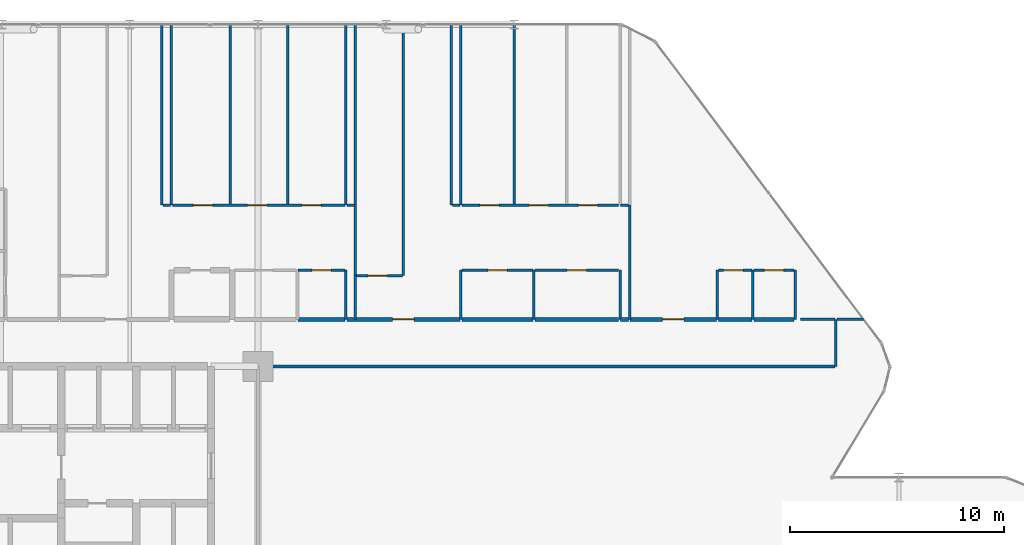
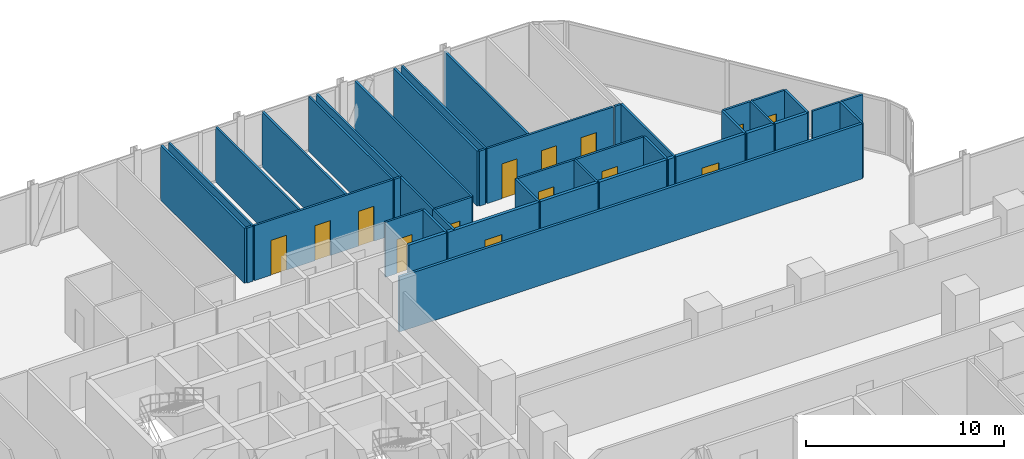
# One storey, part 31 of 33: 44 walls, 14 doors, 14 openings.
"""IFC4 building model written with IfcOpenShell, lengths in metres."""

from ifc_helpers import new_model, si_unit, direction, frame, frame_2d, origin, place, context, subcontext, project, spatial, rectangle, extrude, material, layer, layer_set, type_object, element, fill, save


model = new_model("IFC4")

# Units and contexts
model_context = context("Model", 3, precision=1e-05, world=origin(), true_north=direction((0.0, 1.0)))
body_context = subcontext(model_context, "Body", "Model", "MODEL_VIEW")
ifc_project = project(units=[si_unit("LENGTHUNIT", "METRE"), si_unit("AREAUNIT", "SQUARE_METRE"), si_unit("VOLUMEUNIT", "CUBIC_METRE"), si_unit("PLANEANGLEUNIT", "RADIAN"), si_unit("MASSUNIT", "GRAM", prefix="KILO")], contexts=[model_context])

# Site, building, storey
site_placement = place(None, origin())
site = spatial("IfcSite", under=ifc_project, at=site_placement, CompositionType="ELEMENT")
building_placement = place(site_placement, origin())
building = spatial("IfcBuilding", under=site, at=building_placement, Name="Keshet Zoharim Tower", CompositionType="ELEMENT")
storey_placement = place(building_placement, frame((0.0, 0.0, 27.699951171875)))
storey = spatial("IfcBuildingStorey", under=building, at=storey_placement, Name="L05", CompositionType="ELEMENT", Elevation=27.699951171875)

# Walls
ifc_material_1 = material(Name="Gypsum Plasterboard", Category="gypsum")
ifc_layer_1 = layer(ifc_material_1, 0.14990234375)
ifc_layer_set_1 = layer_set([ifc_layer_1], Name="Gypsum Plasterboard")
wall_type_1 = type_object("IfcWallType", Name="WL-CLIN-150", PredefinedType="STANDARD", material=ifc_layer_set_1)
wall_1_placement = place(storey_placement, frame((33.070068359375, 37.89990234375, 0.0), z_axis=(0.0, 0.0, 1.0), x_axis=(1.0, 0.0, 0.0)))
element("IfcWall", 1, at=wall_1_placement, inside=storey, type_object=wall_type_1, Name="L05 Interior Wall 205", PredefinedType="STANDARD", context=body_context, shape_type="SweptSolid", body=[
    extrude(rectangle(XDim=26.934814453125, YDim=0.14990234375, at=frame_2d((13.46728515625, 0.0))), origin(), (0.0, 0.0, 1.0), 3.385009765625),
])
ifc_layer_2 = layer(ifc_material_1, 0.179931640625)
ifc_layer_set_2 = layer_set([ifc_layer_2], Name="Gypsum Plasterboard")
wall_type_2 = type_object("IfcWallType", Name="WL-CORR-180", PredefinedType="STANDARD", material=ifc_layer_set_2)
wall_2_placement = place(storey_placement, frame((34.873046875, 40.10009765625, 0.0), z_axis=(0.0, 0.0, 1.0), x_axis=(1.0, 0.0, 0.0)))
element("IfcWall", 2, at=wall_2_placement, inside=storey, type_object=wall_type_2, Name="L05 Interior Wall 214", PredefinedType="STANDARD", context=body_context, shape_type="SweptSolid", body=[
    extrude(rectangle(XDim=2.19189453125, YDim=0.179931640625, at=frame_2d((1.095947265625, 0.0))), origin(), (0.0, 0.0, 1.0), 3.385009765625),
])

# Wall, opening, door
wall_3_placement = place(storey_placement, frame((37.155029296875, 40.10009765625, 0.0), z_axis=(0.0, 0.0, 1.0), x_axis=(1.0, 0.0, 0.0)))
wall_3 = element("IfcWall", 3, at=wall_3_placement, inside=storey, type_object=wall_type_2, Name="L05 Interior Wall 215", PredefinedType="STANDARD", context=body_context, shape_type="SweptSolid", body=[
    extrude(rectangle(XDim=5.300048828125, YDim=0.179931640625, at=frame_2d((2.64990234375, 0.0))), origin(), (0.0, 0.0, 1.0), 3.385009765625),
])
opening_1_placement = place(wall_3_placement, frame((2.14990234375, 0.0, 0.0)))
opening_1 = element("IfcOpeningElement", 4, at=opening_1_placement, cuts=wall_3, Name="Opening D-F310", PredefinedType="OPENING", context=body_context, shape_type="SweptSolid", body=[
    extrude(rectangle(XDim=1.0, YDim=2.14990234375, at=frame_2d((0.5, 1.074951171875))), frame((0.0, 0.10009765625, 0.0), z_axis=(0.0, -1.0, 0.0), x_axis=(1.0, 0.0, 0.0)), (0.0, 0.0, 1.0), 0.199951171875),
])
ifc_material_2 = material(Name="Hardwood Timber", Category="wood")
door_type_1 = type_object("IfcDoorType", Name="DR-FD30-100", OperationType="NOTDEFINED", PredefinedType="DOOR", material=ifc_material_2)
door_1_placement = place(opening_1_placement, origin())
door_1 = element("IfcDoor", 5, at=door_1_placement, inside=storey, type_object=door_type_1, Name="Apartment 0507 Entrance Door", OperationType="SINGLE_SWING_LEFT", OverallHeight=2.14990234375, OverallWidth=1.0, PredefinedType="DOOR", context=body_context, shape_type="SweptSolid", body=[
    extrude(rectangle(XDim=1.0, YDim=2.14990234375, at=frame_2d((0.5, 1.074951171875))), frame((0.0, 0.02490234375, 0.0), z_axis=(0.0, -1.0, 0.0), x_axis=(1.0, 0.0, 0.0)), (0.0, 0.0, 1.0), 0.050048828125),
])
fill(opening_1, door_1)

# Walls
wall_4_placement = place(storey_placement, frame((42.544921875, 40.10009765625, 0.0), z_axis=(0.0, 0.0, 1.0), x_axis=(1.0, 0.0, 0.0)))
element("IfcWall", 6, at=wall_4_placement, inside=storey, type_object=wall_type_2, Name="L05 Interior Wall 216", PredefinedType="STANDARD", context=body_context, shape_type="SweptSolid", body=[
    extrude(rectangle(XDim=3.328125, YDim=0.179931640625, at=frame_2d((1.6640625, 0.0))), origin(), (0.0, 0.0, 1.0), 3.385009765625),
])
wall_5_placement = place(storey_placement, frame((45.962890625, 40.10009765625, 0.0), z_axis=(0.0, 0.0, 1.0), x_axis=(1.0, 0.0, 0.0)))
element("IfcWall", 7, at=wall_5_placement, inside=storey, type_object=wall_type_2, Name="L05 Interior Wall 217", PredefinedType="STANDARD", context=body_context, shape_type="SweptSolid", body=[
    extrude(rectangle(XDim=3.922119140625, YDim=0.179931640625, at=frame_2d((1.9609375, 0.0))), origin(), (0.0, 0.0, 1.0), 3.385009765625),
])
wall_6_placement = place(storey_placement, frame((49.97509765625, 40.10009765625, 0.0), z_axis=(0.0, 0.0, 1.0), x_axis=(1.0, 0.0, 0.0)))
element("IfcWall", 8, at=wall_6_placement, inside=storey, type_object=wall_type_2, Name="L05 Interior Wall 218", PredefinedType="STANDARD", context=body_context, shape_type="SweptSolid", body=[
    extrude(rectangle(XDim=0.35986328125, YDim=0.179931640625, at=frame_2d((0.179931640625, 0.0))), origin(), (0.0, 0.0, 1.0), 3.385009765625),
])

# Wall, opening, door
wall_7_placement = place(storey_placement, frame((50.425048828125, 40.10009765625, 0.0), z_axis=(0.0, 0.0, 1.0), x_axis=(1.0, 0.0, 0.0)))
wall_7 = element("IfcWall", 9, at=wall_7_placement, inside=storey, type_object=wall_type_2, Name="L05 Interior Wall 219", PredefinedType="STANDARD", context=body_context, shape_type="SweptSolid", body=[
    extrude(rectangle(XDim=4.030029296875, YDim=0.179931640625, at=frame_2d((2.01513671875, 0.0))), origin(), (0.0, 0.0, 1.0), 3.385009765625),
])
opening_2_placement = place(wall_7_placement, frame((1.514892578125, 0.0, 0.0)))
opening_2 = element("IfcOpeningElement", 10, at=opening_2_placement, cuts=wall_7, Name="Opening D-F310", PredefinedType="OPENING", context=body_context, shape_type="SweptSolid", body=[
    extrude(rectangle(XDim=1.0, YDim=2.14990234375, at=frame_2d((0.5, 1.074951171875))), frame((0.0, 0.10009765625, 0.0), z_axis=(0.0, -1.0, 0.0), x_axis=(1.0, 0.0, 0.0)), (0.0, 0.0, 1.0), 0.199951171875),
])
door_2_placement = place(opening_2_placement, origin())
door_2 = element("IfcDoor", 11, at=door_2_placement, inside=storey, type_object=door_type_1, Name="Apartment 0508 Entrance Door", OperationType="SINGLE_SWING_RIGHT", OverallHeight=2.14990234375, OverallWidth=1.0, PredefinedType="DOOR", context=body_context, shape_type="SweptSolid", body=[
    extrude(rectangle(XDim=1.0, YDim=2.14990234375, at=frame_2d((0.5, 1.074951171875))), frame((0.0, 0.02490234375, 0.0), z_axis=(0.0, -1.0, 0.0), x_axis=(1.0, 0.0, 0.0)), (0.0, 0.0, 1.0), 0.050048828125),
])
fill(opening_2, door_2)

# Walls
wall_8_placement = place(storey_placement, frame((54.544921875, 40.10009765625, 0.0), z_axis=(0.0, 0.0, 1.0), x_axis=(1.0, 0.0, 0.0)))
element("IfcWall", 12, at=wall_8_placement, inside=storey, type_object=wall_type_2, Name="L05 Interior Wall 220", PredefinedType="STANDARD", context=body_context, shape_type="SweptSolid", body=[
    extrude(rectangle(XDim=1.5830078125, YDim=0.179931640625, at=frame_2d((0.79150390625, 0.0))), origin(), (0.0, 0.0, 1.0), 3.385009765625),
])
wall_9_placement = place(storey_placement, frame((56.218017578125, 40.10009765625, 0.0), z_axis=(0.0, 0.0, 1.0), x_axis=(1.0, 0.0, 0.0)))
element("IfcWall", 13, at=wall_9_placement, inside=storey, type_object=wall_type_2, Name="L05 Interior Wall 221", PredefinedType="STANDARD", context=body_context, shape_type="SweptSolid", body=[
    extrude(rectangle(XDim=1.875, YDim=0.179931640625, at=frame_2d((0.9375, 0.0))), origin(), (0.0, 0.0, 1.0), 3.385009765625),
])
ifc_layer_3 = layer(ifc_material_1, 0.1201171875)
ifc_layer_set_3 = layer_set([ifc_layer_3], Name="Gypsum Plasterboard")
wall_type_3 = type_object("IfcWallType", Name="WL-PART-120", PredefinedType="PARTITIONING", material=ifc_layer_set_3)
for number, where, z_axis, x_axis, name in (
    (14, (28.5, 45.449951171875, 0.0), (0.0, 0.0, 1.0), (0.0, 1.0, 0.0), "L05 Interior Wall 053"),
    (15, (28.949951171875, 45.449951171875, 0.0), (0.0, 0.0, 1.0), (0.0, 1.0, 0.0), "L05 Interior Wall 056"),
    (16, (31.699951171875, 45.449951171875, 0.0), (0.0, 0.0, 1.0), (0.0, 1.0, 0.0), "L05 Interior Wall 068"),
    (17, (34.39990234375, 45.449951171875, 0.0), (0.0, 0.0, 1.0), (0.0, 1.0, 0.0), "L05 Interior Wall 074"),
    (18, (37.10009765625, 45.449951171875, 0.0), (0.0, 0.0, 1.0), (0.0, 1.0, 0.0), "L05 Interior Wall 079"),
):
    element("IfcWall", number, at=place(storey_placement, frame(where, z_axis=z_axis, x_axis=x_axis)), inside=storey, type_object=wall_type_3, Name=name, PredefinedType="PARTITIONING", context=body_context, shape_type="SweptSolid", body=[
        extrude(rectangle(XDim=8.43994140625, YDim=0.1201171875, at=frame_2d((4.219970703125, 0.0))), origin(), (0.0, 0.0, 1.0), 3.385009765625),
    ])
wall_10_placement = place(storey_placement, frame((37.550048828125, 40.10009765625, 0.0), z_axis=(0.0, 0.0, 1.0), x_axis=(0.0, 1.0, 0.0)))
element("IfcWall", 19, at=wall_10_placement, inside=storey, type_object=wall_type_3, Name="L05 Interior Wall 080", PredefinedType="PARTITIONING", context=body_context, shape_type="SweptSolid", body=[
    extrude(rectangle(XDim=2.0498046875, YDim=0.1201171875, at=frame_2d((1.02490234375, 0.0))), origin(), (0.0, 0.0, 1.0), 3.385009765625),
])
wall_11_placement = place(storey_placement, frame((37.550048828125, 42.14990234375, 0.0), z_axis=(0.0, 0.0, 1.0), x_axis=(0.0, 1.0, 0.0)))
element("IfcWall", 20, at=wall_11_placement, inside=storey, type_object=wall_type_3, Name="L05 Interior Wall 081", PredefinedType="PARTITIONING", context=body_context, shape_type="SweptSolid", body=[
    extrude(rectangle(XDim=3.300048828125, YDim=0.1201171875, at=frame_2d((1.64990234375, 0.0))), origin(), (0.0, 0.0, 1.0), 3.385009765625),
])
wall_12_placement = place(storey_placement, frame((37.550048828125, 45.449951171875, 0.0), z_axis=(0.0, 0.0, 1.0), x_axis=(0.0, 1.0, 0.0)))
element("IfcWall", 21, at=wall_12_placement, inside=storey, type_object=wall_type_3, Name="L05 Interior Wall 082", PredefinedType="PARTITIONING", context=body_context, shape_type="SweptSolid", body=[
    extrude(rectangle(XDim=8.43994140625, YDim=0.1201171875, at=frame_2d((4.219970703125, 0.0))), origin(), (0.0, 0.0, 1.0), 3.385009765625),
])
wall_13_placement = place(storey_placement, frame((39.800048828125, 42.14990234375, 0.0), z_axis=(0.0, 0.0, 1.0), x_axis=(0.0, 1.0, 0.0)))
element("IfcWall", 22, at=wall_13_placement, inside=storey, type_object=wall_type_3, Name="L05 Interior Wall 088", PredefinedType="PARTITIONING", context=body_context, shape_type="SweptSolid", body=[
    extrude(rectangle(XDim=11.739990234375, YDim=0.1201171875, at=frame_2d((5.8701171875, 0.0))), origin(), (0.0, 0.0, 1.0), 3.385009765625),
])
wall_14_placement = place(storey_placement, frame((42.050048828125, 45.449951171875, 0.0), z_axis=(0.0, 0.0, 1.0), x_axis=(0.0, 1.0, 0.0)))
element("IfcWall", 23, at=wall_14_placement, inside=storey, type_object=wall_type_3, Name="L05 Interior Wall 090", PredefinedType="PARTITIONING", context=body_context, shape_type="SweptSolid", body=[
    extrude(rectangle(XDim=8.43994140625, YDim=0.1201171875, at=frame_2d((4.219970703125, 0.0))), origin(), (0.0, 0.0, 1.0), 3.385009765625),
])
wall_15_placement = place(storey_placement, frame((42.5, 40.10009765625, 0.0), z_axis=(0.0, 0.0, 1.0), x_axis=(0.0, 1.0, 0.0)))
element("IfcWall", 24, at=wall_15_placement, inside=storey, type_object=wall_type_3, Name="L05 Interior Wall 091", PredefinedType="PARTITIONING", context=body_context, shape_type="SweptSolid", body=[
    extrude(rectangle(XDim=2.2998046875, YDim=0.1201171875, at=frame_2d((1.14990234375, 0.0))), origin(), (0.0, 0.0, 1.0), 3.385009765625),
])
for number, where, z_axis, x_axis, name in (
    (25, (42.5, 45.449951171875, 0.0), (0.0, 0.0, 1.0), (0.0, 1.0, 0.0), "L05 Interior Wall 092"),
    (26, (45.0, 45.449951171875, 0.0), (0.0, 0.0, 1.0), (0.0, 1.0, 0.0), "L05 Interior Wall 096"),
):
    element("IfcWall", number, at=place(storey_placement, frame(where, z_axis=z_axis, x_axis=x_axis)), inside=storey, type_object=wall_type_3, Name=name, PredefinedType="PARTITIONING", context=body_context, shape_type="SweptSolid", body=[
        extrude(rectangle(XDim=8.43994140625, YDim=0.1201171875, at=frame_2d((4.219970703125, 0.0))), origin(), (0.0, 0.0, 1.0), 3.385009765625),
    ])
wall_16_placement = place(storey_placement, frame((50.39990234375, 40.10009765625, 0.0), z_axis=(0.0, 0.0, 1.0), x_axis=(0.0, 1.0, 0.0)))
element("IfcWall", 27, at=wall_16_placement, inside=storey, type_object=wall_type_3, Name="L05 Interior Wall 104", PredefinedType="PARTITIONING", context=body_context, shape_type="SweptSolid", body=[
    extrude(rectangle(XDim=5.349853515625, YDim=0.1201171875, at=frame_2d((2.6748046875, 0.0))), origin(), (0.0, 0.0, 1.0), 3.385009765625),
])
wall_17_placement = place(storey_placement, frame((54.5, 40.10009765625, 0.0), z_axis=(0.0, 0.0, 1.0), x_axis=(0.0, 1.0, 0.0)))
element("IfcWall", 28, at=wall_17_placement, inside=storey, type_object=wall_type_3, Name="L05 Interior Wall 110", PredefinedType="PARTITIONING", context=body_context, shape_type="SweptSolid", body=[
    extrude(rectangle(XDim=2.2998046875, YDim=0.1201171875, at=frame_2d((1.14990234375, 0.0))), origin(), (0.0, 0.0, 1.0), 3.385009765625),
])
wall_18_placement = place(storey_placement, frame((60.050048828125, 37.889892578125, 0.0), z_axis=(0.0, 0.0, 1.0), x_axis=(0.0, 1.0, 0.0)))
element("IfcWall", 29, at=wall_18_placement, inside=storey, type_object=wall_type_3, Name="L05 Interior Wall 120", PredefinedType="PARTITIONING", context=body_context, shape_type="SweptSolid", body=[
    extrude(rectangle(XDim=2.2001953125, YDim=0.1201171875, at=frame_2d((1.10009765625, 0.0))), origin(), (0.0, 0.0, 1.0), 3.385009765625),
])
wall_19_placement = place(storey_placement, frame((58.39990234375, 40.10009765625, 0.0), z_axis=(0.0, 0.0, 1.0), x_axis=(1.0, 0.0, 0.0)))
element("IfcWall", 30, at=wall_19_placement, inside=storey, type_object=wall_type_3, Name="L05 Interior Wall 222", PredefinedType="PARTITIONING", context=body_context, shape_type="SweptSolid", body=[
    extrude(rectangle(XDim=1.60498046875, YDim=0.1201171875, at=frame_2d((0.802490234375, 0.0))), origin(), (0.0, 0.0, 1.0), 3.385009765625),
])
wall_20_placement = place(storey_placement, frame((60.094970703125, 40.10009765625, 0.0), z_axis=(0.0, 0.0, 1.0), x_axis=(1.0, 0.0, 0.0)))
element("IfcWall", 31, at=wall_20_placement, inside=storey, type_object=wall_type_3, Name="L05 Interior Wall 223", PredefinedType="PARTITIONING", context=body_context, shape_type="SweptSolid", body=[
    extrude(rectangle(XDim=1.2451171875, YDim=0.1201171875, at=frame_2d((0.62255859375, 0.0))), origin(), (0.0, 0.0, 1.0), 3.385009765625),
])

# Wall, opening, door
wall_21_placement = place(storey_placement, frame((37.60498046875, 42.14990234375, 0.0), z_axis=(0.0, 0.0, 1.0), x_axis=(1.0, 0.0, 0.0)))
wall_21 = element("IfcWall", 32, at=wall_21_placement, inside=storey, type_object=wall_type_3, Name="L05 Interior Wall 225", PredefinedType="PARTITIONING", context=body_context, shape_type="SweptSolid", body=[
    extrude(rectangle(XDim=2.159912109375, YDim=0.1201171875, at=frame_2d((1.080078125, 0.0))), origin(), (0.0, 0.0, 1.0), 3.385009765625),
])
opening_3_placement = place(wall_21_placement, frame((0.552978515625, 0.0, 0.0)))
opening_3 = element("IfcOpeningElement", 33, at=opening_3_placement, cuts=wall_21, Name="Opening D-IN90", PredefinedType="OPENING", context=body_context, shape_type="SweptSolid", body=[
    extrude(rectangle(XDim=0.89990234375, YDim=2.14990234375, at=frame_2d((0.449951171875, 1.074951171875))), frame((0.0, 0.070068359375, 0.0), z_axis=(0.0, -1.0, 0.0), x_axis=(1.0, 0.0, 0.0)), (0.0, 0.0, 1.0), 0.14013671875),
])
door_type_2 = type_object("IfcDoorType", Name="DR-INT-090", OperationType="NOTDEFINED", PredefinedType="DOOR", material=ifc_material_2)
door_3_placement = place(opening_3_placement, origin())
door_3 = element("IfcDoor", 34, at=door_3_placement, inside=storey, type_object=door_type_2, Name="Apartment 0507 Formal Dining Room Door", OperationType="SINGLE_SWING_RIGHT", OverallHeight=2.14990234375, OverallWidth=0.89990234375, PredefinedType="DOOR", context=body_context, shape_type="SweptSolid", body=[
    extrude(rectangle(XDim=0.89990234375, YDim=2.14990234375, at=frame_2d((0.449951171875, 1.074951171875))), frame((0.0, 0.02490234375, 0.0), z_axis=(0.0, -1.0, 0.0), x_axis=(1.0, 0.0, 0.0)), (0.0, 0.0, 1.0), 0.050048828125),
])
fill(opening_3, door_3)

wall_22_placement = place(storey_placement, frame((42.544921875, 42.39990234375, 0.0), z_axis=(0.0, 0.0, 1.0), x_axis=(1.0, 0.0, 0.0)))
wall_22 = element("IfcWall", 35, at=wall_22_placement, inside=storey, type_object=wall_type_3, Name="L05 Interior Wall 229", PredefinedType="PARTITIONING", context=body_context, shape_type="SweptSolid", body=[
    extrude(rectangle(XDim=3.328125, YDim=0.1201171875, at=frame_2d((1.6640625, 0.0))), origin(), (0.0, 0.0, 1.0), 3.385009765625),
])
opening_4_placement = place(wall_22_placement, frame((1.214111328125, 0.0, 0.0)))
opening_4 = element("IfcOpeningElement", 36, at=opening_4_placement, cuts=wall_22, Name="Opening D-IN90", PredefinedType="OPENING", context=body_context, shape_type="SweptSolid", body=[
    extrude(rectangle(XDim=0.89990234375, YDim=2.14990234375, at=frame_2d((0.449951171875, 1.074951171875))), frame((0.0, 0.070068359375, 0.0), z_axis=(0.0, -1.0, 0.0), x_axis=(1.0, 0.0, 0.0)), (0.0, 0.0, 1.0), 0.14013671875),
])
door_4_placement = place(opening_4_placement, origin())
door_4 = element("IfcDoor", 37, at=door_4_placement, inside=storey, type_object=door_type_2, Name="Apartment 0507 Kitchen Door", OperationType="SINGLE_SWING_RIGHT", OverallHeight=2.14990234375, OverallWidth=0.89990234375, PredefinedType="DOOR", context=body_context, shape_type="SweptSolid", body=[
    extrude(rectangle(XDim=0.89990234375, YDim=2.14990234375, at=frame_2d((0.449951171875, 1.074951171875))), frame((0.0, 0.02490234375, 0.0), z_axis=(0.0, -1.0, 0.0), x_axis=(1.0, 0.0, 0.0)), (0.0, 0.0, 1.0), 0.050048828125),
])
fill(opening_4, door_4)

wall_23_placement = place(storey_placement, frame((54.544921875, 42.39990234375, 0.0), z_axis=(0.0, 0.0, 1.0), x_axis=(1.0, 0.0, 0.0)))
wall_23 = element("IfcWall", 38, at=wall_23_placement, inside=storey, type_object=wall_type_3, Name="L05 Interior Wall 231", PredefinedType="PARTITIONING", context=body_context, shape_type="SweptSolid", body=[
    extrude(rectangle(XDim=1.5830078125, YDim=0.1201171875, at=frame_2d((0.79150390625, 0.0))), origin(), (0.0, 0.0, 1.0), 3.385009765625),
])
opening_5_placement = place(wall_23_placement, frame((0.2490234375, 0.0, 0.0)))
opening_5 = element("IfcOpeningElement", 39, at=opening_5_placement, cuts=wall_23, Name="Opening D-IN90", PredefinedType="OPENING", context=body_context, shape_type="SweptSolid", body=[
    extrude(rectangle(XDim=0.89990234375, YDim=2.14990234375, at=frame_2d((0.449951171875, 1.074951171875))), frame((0.0, 0.070068359375, 0.0), z_axis=(0.0, -1.0, 0.0), x_axis=(1.0, 0.0, 0.0)), (0.0, 0.0, 1.0), 0.14013671875),
])
door_5_placement = place(opening_5_placement, origin())
door_5 = element("IfcDoor", 40, at=door_5_placement, inside=storey, type_object=door_type_2, Name="Apartment 0508 Kitchen Door", OperationType="SINGLE_SWING_RIGHT", OverallHeight=2.14990234375, OverallWidth=0.89990234375, PredefinedType="DOOR", context=body_context, shape_type="SweptSolid", body=[
    extrude(rectangle(XDim=0.89990234375, YDim=2.14990234375, at=frame_2d((0.449951171875, 1.074951171875))), frame((0.0, 0.02490234375, 0.0), z_axis=(0.0, -1.0, 0.0), x_axis=(1.0, 0.0, 0.0)), (0.0, 0.0, 1.0), 0.050048828125),
])
fill(opening_5, door_5)

# Wall
wall_24_placement = place(storey_placement, frame((28.554931640625, 45.449951171875, 0.0), z_axis=(0.0, 0.0, 1.0), x_axis=(1.0, 0.0, 0.0)))
element("IfcWall", 41, at=wall_24_placement, inside=storey, type_object=wall_type_3, Name="L05 Interior Wall 234", PredefinedType="PARTITIONING", context=body_context, shape_type="SweptSolid", body=[
    extrude(rectangle(XDim=0.360107421875, YDim=0.1201171875, at=frame_2d((0.18017578125, 0.0))), origin(), (0.0, 0.0, 1.0), 3.385009765625),
])

# Wall, openings, doors
wall_25_placement = place(storey_placement, frame((29.0048828125, 45.449951171875, 0.0), z_axis=(0.0, 0.0, 1.0), x_axis=(1.0, 0.0, 0.0)))
wall_25 = element("IfcWall", 42, at=wall_25_placement, inside=storey, type_object=wall_type_3, Name="L05 Interior Wall 235", PredefinedType="PARTITIONING", context=body_context, shape_type="SweptSolid", body=[
    extrude(rectangle(XDim=8.06005859375, YDim=0.1201171875, at=frame_2d((4.030029296875, 0.0))), origin(), (0.0, 0.0, 1.0), 3.385009765625),
])
opening_6_placement = place(wall_25_placement, frame((0.968017578125, 0.0, 0.0)))
opening_6 = element("IfcOpeningElement", 43, at=opening_6_placement, cuts=wall_25, Name="Opening D-IN90", PredefinedType="OPENING", context=body_context, shape_type="SweptSolid", body=[
    extrude(rectangle(XDim=0.89990234375, YDim=2.14990234375, at=frame_2d((0.449951171875, 1.074951171875))), frame((0.0, 0.070068359375, 0.0), z_axis=(0.0, -1.0, 0.0), x_axis=(1.0, 0.0, 0.0)), (0.0, 0.0, 1.0), 0.14013671875),
])
opening_7_placement = place(wall_25_placement, frame((3.507080078125, 0.0, 0.0)))
opening_7 = element("IfcOpeningElement", 44, at=opening_7_placement, cuts=wall_25, Name="Opening D-IN90", PredefinedType="OPENING", context=body_context, shape_type="SweptSolid", body=[
    extrude(rectangle(XDim=0.89990234375, YDim=2.14990234375, at=frame_2d((0.449951171875, 1.074951171875))), frame((0.0, 0.070068359375, 0.0), z_axis=(0.0, -1.0, 0.0), x_axis=(1.0, 0.0, 0.0)), (0.0, 0.0, 1.0), 0.14013671875),
])
opening_8_placement = place(wall_25_placement, frame((6.051025390625, 0.0, 0.0)))
opening_8 = element("IfcOpeningElement", 45, at=opening_8_placement, cuts=wall_25, Name="Opening D-IN90", PredefinedType="OPENING", context=body_context, shape_type="SweptSolid", body=[
    extrude(rectangle(XDim=0.89990234375, YDim=2.14990234375, at=frame_2d((0.449951171875, 1.074951171875))), frame((0.0, 0.070068359375, 0.0), z_axis=(0.0, -1.0, 0.0), x_axis=(1.0, 0.0, 0.0)), (0.0, 0.0, 1.0), 0.14013671875),
])
door_6_placement = place(opening_6_placement, origin())
door_6 = element("IfcDoor", 46, at=door_6_placement, inside=storey, type_object=door_type_2, Name="Apartment 0506 Bedroom 1 Door", OperationType="SINGLE_SWING_RIGHT", OverallHeight=2.14990234375, OverallWidth=0.89990234375, PredefinedType="DOOR", context=body_context, shape_type="SweptSolid", body=[
    extrude(rectangle(XDim=0.89990234375, YDim=2.14990234375, at=frame_2d((0.449951171875, 1.074951171875))), frame((0.0, 0.02490234375, 0.0), z_axis=(0.0, -1.0, 0.0), x_axis=(1.0, 0.0, 0.0)), (0.0, 0.0, 1.0), 0.050048828125),
])
fill(opening_6, door_6)
door_7_placement = place(opening_7_placement, origin())
door_7 = element("IfcDoor", 47, at=door_7_placement, inside=storey, type_object=door_type_2, Name="Apartment 0506 Bedroom 2 Door", OperationType="SINGLE_SWING_LEFT", OverallHeight=2.14990234375, OverallWidth=0.89990234375, PredefinedType="DOOR", context=body_context, shape_type="SweptSolid", body=[
    extrude(rectangle(XDim=0.89990234375, YDim=2.14990234375, at=frame_2d((0.449951171875, 1.074951171875))), frame((0.0, 0.02490234375, 0.0), z_axis=(0.0, -1.0, 0.0), x_axis=(1.0, 0.0, 0.0)), (0.0, 0.0, 1.0), 0.050048828125),
])
fill(opening_7, door_7)
door_8_placement = place(opening_8_placement, origin())
door_8 = element("IfcDoor", 48, at=door_8_placement, inside=storey, type_object=door_type_2, Name="Apartment 0506 Bedroom 3 Door", OperationType="SINGLE_SWING_RIGHT", OverallHeight=2.14990234375, OverallWidth=0.89990234375, PredefinedType="DOOR", context=body_context, shape_type="SweptSolid", body=[
    extrude(rectangle(XDim=0.89990234375, YDim=2.14990234375, at=frame_2d((0.449951171875, 1.074951171875))), frame((0.0, 0.02490234375, 0.0), z_axis=(0.0, -1.0, 0.0), x_axis=(1.0, 0.0, 0.0)), (0.0, 0.0, 1.0), 0.050048828125),
])
fill(opening_8, door_8)

# Walls
wall_26_placement = place(storey_placement, frame((37.155029296875, 45.449951171875, 0.0), z_axis=(0.0, 0.0, 1.0), x_axis=(1.0, 0.0, 0.0)))
element("IfcWall", 49, at=wall_26_placement, inside=storey, type_object=wall_type_3, Name="L05 Interior Wall 236", PredefinedType="PARTITIONING", context=body_context, shape_type="SweptSolid", body=[
    extrude(rectangle(XDim=0.35986328125, YDim=0.1201171875, at=frame_2d((0.179931640625, 0.0))), origin(), (0.0, 0.0, 1.0), 3.385009765625),
])
wall_27_placement = place(storey_placement, frame((42.094970703125, 45.449951171875, 0.0), z_axis=(0.0, 0.0, 1.0), x_axis=(1.0, 0.0, 0.0)))
element("IfcWall", 50, at=wall_27_placement, inside=storey, type_object=wall_type_3, Name="L05 Interior Wall 237", PredefinedType="PARTITIONING", context=body_context, shape_type="SweptSolid", body=[
    extrude(rectangle(XDim=0.360107421875, YDim=0.1201171875, at=frame_2d((0.18017578125, 0.0))), origin(), (0.0, 0.0, 1.0), 3.385009765625),
])

# Wall, openings, doors
wall_28_placement = place(storey_placement, frame((42.544921875, 45.449951171875, 0.0), z_axis=(0.0, 0.0, 1.0), x_axis=(1.0, 0.0, 0.0)))
wall_28 = element("IfcWall", 51, at=wall_28_placement, inside=storey, type_object=wall_type_3, Name="L05 Interior Wall 238", PredefinedType="PARTITIONING", context=body_context, shape_type="SweptSolid", body=[
    extrude(rectangle(XDim=7.340087890625, YDim=0.1201171875, at=frame_2d((3.669921875, 0.0))), origin(), (0.0, 0.0, 1.0), 3.385009765625),
])
opening_9_placement = place(wall_28_placement, frame((0.845947265625, 0.0, 0.0)))
opening_9 = element("IfcOpeningElement", 52, at=opening_9_placement, cuts=wall_28, Name="Opening D-IN90", PredefinedType="OPENING", context=body_context, shape_type="SweptSolid", body=[
    extrude(rectangle(XDim=0.89990234375, YDim=2.14990234375, at=frame_2d((0.449951171875, 1.074951171875))), frame((0.0, 0.070068359375, 0.0), z_axis=(0.0, -1.0, 0.0), x_axis=(1.0, 0.0, 0.0)), (0.0, 0.0, 1.0), 0.14013671875),
])
opening_10_placement = place(wall_28_placement, frame((3.14501953125, 0.0, 0.0)))
opening_10 = element("IfcOpeningElement", 53, at=opening_10_placement, cuts=wall_28, Name="Opening D-IN90", PredefinedType="OPENING", context=body_context, shape_type="SweptSolid", body=[
    extrude(rectangle(XDim=0.89990234375, YDim=2.14990234375, at=frame_2d((0.449951171875, 1.074951171875))), frame((0.0, 0.070068359375, 0.0), z_axis=(0.0, -1.0, 0.0), x_axis=(1.0, 0.0, 0.0)), (0.0, 0.0, 1.0), 0.14013671875),
])
opening_11_placement = place(wall_28_placement, frame((5.448974609375, 0.0, 0.0)))
opening_11 = element("IfcOpeningElement", 54, at=opening_11_placement, cuts=wall_28, Name="Opening D-IN90", PredefinedType="OPENING", context=body_context, shape_type="SweptSolid", body=[
    extrude(rectangle(XDim=0.89990234375, YDim=2.14990234375, at=frame_2d((0.449951171875, 1.074951171875))), frame((0.0, 0.070068359375, 0.0), z_axis=(0.0, -1.0, 0.0), x_axis=(1.0, 0.0, 0.0)), (0.0, 0.0, 1.0), 0.14013671875),
])
door_9_placement = place(opening_9_placement, origin())
door_9 = element("IfcDoor", 55, at=door_9_placement, inside=storey, type_object=door_type_2, Name="Apartment 0507 Bedroom 1 Door", OperationType="SINGLE_SWING_LEFT", OverallHeight=2.14990234375, OverallWidth=0.89990234375, PredefinedType="DOOR", context=body_context, shape_type="SweptSolid", body=[
    extrude(rectangle(XDim=0.89990234375, YDim=2.14990234375, at=frame_2d((0.449951171875, 1.074951171875))), frame((0.0, 0.02490234375, 0.0), z_axis=(0.0, -1.0, 0.0), x_axis=(1.0, 0.0, 0.0)), (0.0, 0.0, 1.0), 0.050048828125),
])
fill(opening_9, door_9)
door_10_placement = place(opening_10_placement, origin())
door_10 = element("IfcDoor", 56, at=door_10_placement, inside=storey, type_object=door_type_2, Name="Apartment 0507 Bedroom 2 Door", OperationType="SINGLE_SWING_RIGHT", OverallHeight=2.14990234375, OverallWidth=0.89990234375, PredefinedType="DOOR", context=body_context, shape_type="SweptSolid", body=[
    extrude(rectangle(XDim=0.89990234375, YDim=2.14990234375, at=frame_2d((0.449951171875, 1.074951171875))), frame((0.0, 0.02490234375, 0.0), z_axis=(0.0, -1.0, 0.0), x_axis=(1.0, 0.0, 0.0)), (0.0, 0.0, 1.0), 0.050048828125),
])
fill(opening_10, door_10)
door_11_placement = place(opening_11_placement, origin())
door_11 = element("IfcDoor", 57, at=door_11_placement, inside=storey, type_object=door_type_2, Name="Apartment 0507 Bedroom 3 Door", OperationType="SINGLE_SWING_LEFT", OverallHeight=2.14990234375, OverallWidth=0.89990234375, PredefinedType="DOOR", context=body_context, shape_type="SweptSolid", body=[
    extrude(rectangle(XDim=0.89990234375, YDim=2.14990234375, at=frame_2d((0.449951171875, 1.074951171875))), frame((0.0, 0.02490234375, 0.0), z_axis=(0.0, -1.0, 0.0), x_axis=(1.0, 0.0, 0.0)), (0.0, 0.0, 1.0), 0.050048828125),
])
fill(opening_11, door_11)

# Walls
wall_29_placement = place(storey_placement, frame((49.97509765625, 45.449951171875, 0.0), z_axis=(0.0, 0.0, 1.0), x_axis=(1.0, 0.0, 0.0)))
element("IfcWall", 58, at=wall_29_placement, inside=storey, type_object=wall_type_3, Name="L05 Interior Wall 239", PredefinedType="PARTITIONING", context=body_context, shape_type="SweptSolid", body=[
    extrude(rectangle(XDim=0.35986328125, YDim=0.1201171875, at=frame_2d((0.179931640625, 0.0))), origin(), (0.0, 0.0, 1.0), 3.385009765625),
])
ifc_layer_4 = layer(ifc_material_1, 0.1201171875)
ifc_layer_set_4 = layer_set([ifc_layer_4], Name="Gypsum Plasterboard")
wall_type_4 = type_object("IfcWallType", Name="WL-WET-120", PredefinedType="PARTITIONING", material=ifc_layer_set_4)
for number, where, z_axis, x_axis, name in (
    (59, (37.10009765625, 40.10009765625, 0.0), (0.0, 0.0, 1.0), (0.0, 1.0, 0.0), "L05 Interior Wall 078"),
    (60, (45.89990234375, 40.10009765625, 0.0), (0.0, 0.0, 1.0), (0.0, 1.0, 0.0), "L05 Interior Wall 097"),
    (61, (49.949951171875, 40.10009765625, 0.0), (0.0, 0.0, 1.0), (0.0, 1.0, 0.0), "L05 Interior Wall 102"),
    (62, (56.14990234375, 40.10009765625, 0.0), (0.0, 0.0, 1.0), (0.0, 1.0, 0.0), "L05 Interior Wall 114"),
    (63, (58.14990234375, 40.10009765625, 0.0), (0.0, 0.0, 1.0), (0.0, 1.0, 0.0), "L05 Interior Wall 116"),
):
    element("IfcWall", number, at=place(storey_placement, frame(where, z_axis=z_axis, x_axis=x_axis)), inside=storey, type_object=wall_type_4, Name=name, PredefinedType="PARTITIONING", context=body_context, shape_type="SweptSolid", body=[
        extrude(rectangle(XDim=2.2998046875, YDim=0.1201171875, at=frame_2d((1.14990234375, 0.0))), origin(), (0.0, 0.0, 1.0), 3.385009765625),
    ])

# Wall, opening, door
wall_30_placement = place(storey_placement, frame((34.873046875, 42.39990234375, 0.0), z_axis=(0.0, 0.0, 1.0), x_axis=(1.0, 0.0, 0.0)))
wall_30 = element("IfcWall", 64, at=wall_30_placement, inside=storey, type_object=wall_type_4, Name="L05 Interior Wall 228", PredefinedType="PARTITIONING", context=body_context, shape_type="SweptSolid", body=[
    extrude(rectangle(XDim=2.19189453125, YDim=0.1201171875, at=frame_2d((1.095947265625, 0.0))), origin(), (0.0, 0.0, 1.0), 3.385009765625),
])
opening_12_placement = place(wall_30_placement, frame((0.64599609375, 0.0, 0.0)))
opening_12 = element("IfcOpeningElement", 65, at=opening_12_placement, cuts=wall_30, Name="Opening D-WT90", PredefinedType="OPENING", context=body_context, shape_type="SweptSolid", body=[
    extrude(rectangle(XDim=0.89990234375, YDim=2.10009765625, at=frame_2d((0.449951171875, 1.050048828125))), frame((0.0, 0.070068359375, 0.0), z_axis=(0.0, -1.0, 0.0), x_axis=(1.0, 0.0, 0.0)), (0.0, 0.0, 1.0), 0.14013671875),
])
door_type_3 = type_object("IfcDoorType", Name="DR-WET-090", OperationType="NOTDEFINED", PredefinedType="DOOR", material=ifc_material_2)
door_12_placement = place(opening_12_placement, origin())
door_12 = element("IfcDoor", 66, at=door_12_placement, inside=storey, type_object=door_type_3, Name="Apartment 0506 Bathroom Door", OperationType="SINGLE_SWING_LEFT", OverallHeight=2.10009765625, OverallWidth=0.89990234375, PredefinedType="DOOR", context=body_context, shape_type="SweptSolid", body=[
    extrude(rectangle(XDim=0.89990234375, YDim=2.10009765625, at=frame_2d((0.449951171875, 1.050048828125))), frame((0.0, 0.02490234375, 0.0), z_axis=(0.0, -1.0, 0.0), x_axis=(1.0, 0.0, 0.0)), (0.0, 0.0, 1.0), 0.050048828125),
])
fill(opening_12, door_12)

wall_31_placement = place(storey_placement, frame((45.962890625, 42.39990234375, 0.0), z_axis=(0.0, 0.0, 1.0), x_axis=(1.0, 0.0, 0.0)))
wall_31 = element("IfcWall", 67, at=wall_31_placement, inside=storey, type_object=wall_type_4, Name="L05 Interior Wall 230", PredefinedType="PARTITIONING", context=body_context, shape_type="SweptSolid", body=[
    extrude(rectangle(XDim=3.922119140625, YDim=0.1201171875, at=frame_2d((1.9609375, 0.0))), origin(), (0.0, 0.0, 1.0), 3.385009765625),
])
opening_13_placement = place(wall_31_placement, frame((1.510986328125, 0.0, 0.0)))
opening_13 = element("IfcOpeningElement", 68, at=opening_13_placement, cuts=wall_31, Name="Opening D-WT90", PredefinedType="OPENING", context=body_context, shape_type="SweptSolid", body=[
    extrude(rectangle(XDim=0.89990234375, YDim=2.10009765625, at=frame_2d((0.449951171875, 1.050048828125))), frame((0.0, 0.070068359375, 0.0), z_axis=(0.0, -1.0, 0.0), x_axis=(1.0, 0.0, 0.0)), (0.0, 0.0, 1.0), 0.14013671875),
])
door_13_placement = place(opening_13_placement, origin())
door_13 = element("IfcDoor", 69, at=door_13_placement, inside=storey, type_object=door_type_3, Name="Apartment 0507 Bathroom Door", OperationType="SINGLE_SWING_LEFT", OverallHeight=2.10009765625, OverallWidth=0.89990234375, PredefinedType="DOOR", context=body_context, shape_type="SweptSolid", body=[
    extrude(rectangle(XDim=0.89990234375, YDim=2.10009765625, at=frame_2d((0.449951171875, 1.050048828125))), frame((0.0, 0.02490234375, 0.0), z_axis=(0.0, -1.0, 0.0), x_axis=(1.0, 0.0, 0.0)), (0.0, 0.0, 1.0), 0.050048828125),
])
fill(opening_13, door_13)

wall_32_placement = place(storey_placement, frame((56.218017578125, 42.39990234375, 0.0), z_axis=(0.0, 0.0, 1.0), x_axis=(1.0, 0.0, 0.0)))
wall_32 = element("IfcWall", 70, at=wall_32_placement, inside=storey, type_object=wall_type_4, Name="L05 Interior Wall 232", PredefinedType="PARTITIONING", context=body_context, shape_type="SweptSolid", body=[
    extrude(rectangle(XDim=1.875, YDim=0.1201171875, at=frame_2d((0.9375, 0.0))), origin(), (0.0, 0.0, 1.0), 3.385009765625),
])
opening_14_placement = place(wall_32_placement, frame((0.488037109375, 0.0, 0.0)))
opening_14 = element("IfcOpeningElement", 71, at=opening_14_placement, cuts=wall_32, Name="Opening D-WT90", PredefinedType="OPENING", context=body_context, shape_type="SweptSolid", body=[
    extrude(rectangle(XDim=0.89990234375, YDim=2.10009765625, at=frame_2d((0.449951171875, 1.050048828125))), frame((0.0, 0.070068359375, 0.0), z_axis=(0.0, -1.0, 0.0), x_axis=(1.0, 0.0, 0.0)), (0.0, 0.0, 1.0), 0.14013671875),
])
door_14_placement = place(opening_14_placement, origin())
door_14 = element("IfcDoor", 72, at=door_14_placement, inside=storey, type_object=door_type_3, Name="Apartment 0508 Bathroom Door", OperationType="SINGLE_SWING_LEFT", OverallHeight=2.10009765625, OverallWidth=0.89990234375, PredefinedType="DOOR", context=body_context, shape_type="SweptSolid", body=[
    extrude(rectangle(XDim=0.89990234375, YDim=2.10009765625, at=frame_2d((0.449951171875, 1.050048828125))), frame((0.0, 0.02490234375, 0.0), z_axis=(0.0, -1.0, 0.0), x_axis=(1.0, 0.0, 0.0)), (0.0, 0.0, 1.0), 0.050048828125),
])
fill(opening_14, door_14)

save(model, "model.ifc")
